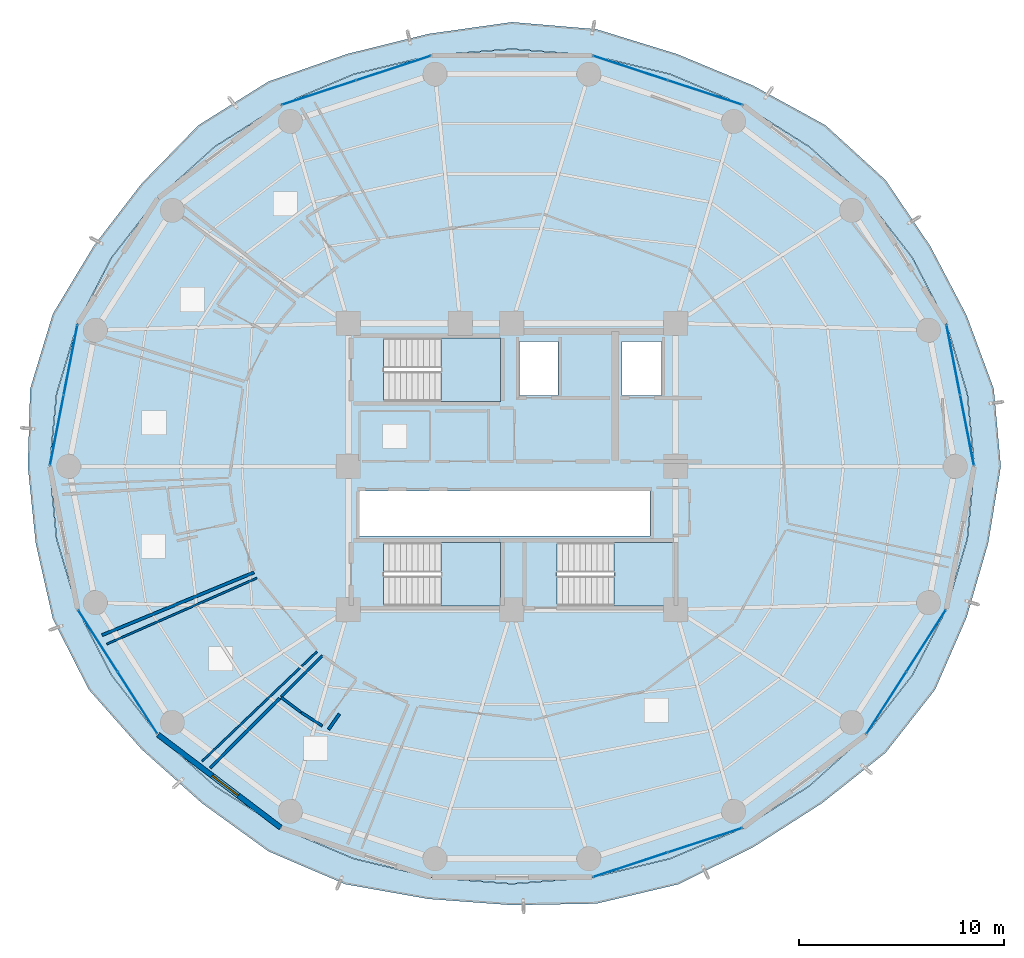
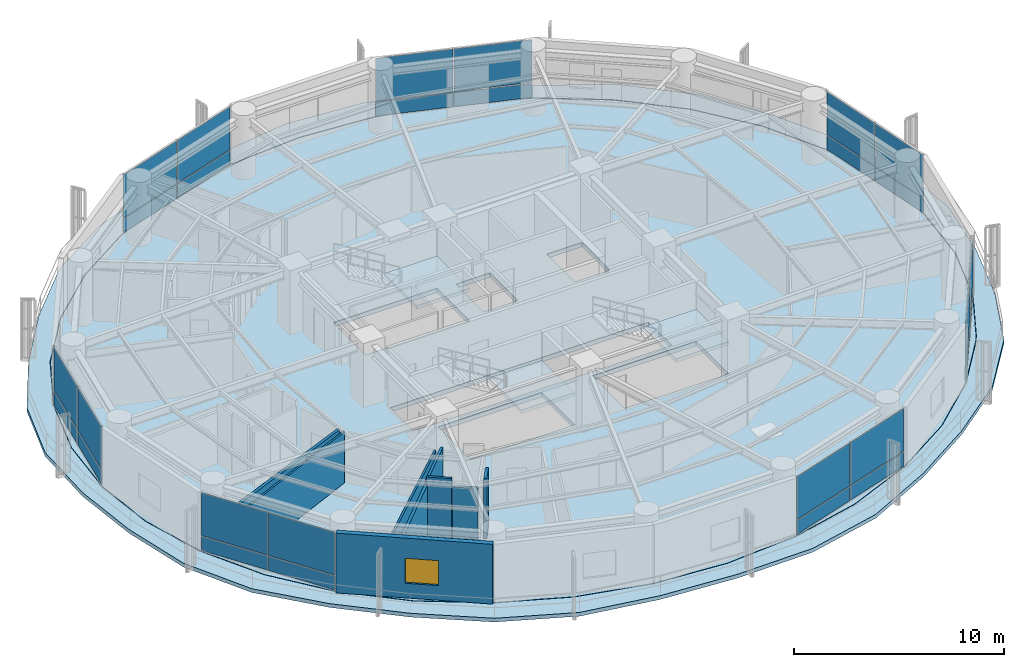
# One storey, part 20 of 27: 28 plates, 9 walls, 5 slabs, 1 window, 1 opening, 10 elements without a shape of their own.
"""IFC4 building model written with IfcOpenShell, lengths in metres."""

from ifc_helpers import new_model, si_unit, direction, frame, frame_2d, origin, origin_2d, place, context, subcontext, project, spatial, polyline, rectangle, outline, extrude, source, transform, mapped, material, layer, layer_set, type_object, element, fill, aggregate, save


model = new_model("IFC4")

# Units and contexts
model_context = context("Model", 3, precision=1e-05, world=origin(), true_north=direction((0.0, 1.0)))
body_context = subcontext(model_context, "Body", "Model", "MODEL_VIEW")
ifc_project = project(units=[si_unit("LENGTHUNIT", "METRE"), si_unit("AREAUNIT", "SQUARE_METRE"), si_unit("VOLUMEUNIT", "CUBIC_METRE"), si_unit("PLANEANGLEUNIT", "RADIAN"), si_unit("MASSUNIT", "GRAM", prefix="KILO")], contexts=[model_context])

# Site, building, storey
site_placement = place(None, origin())
site = spatial("IfcSite", under=ifc_project, at=site_placement, CompositionType="ELEMENT")
building_placement = place(site_placement, origin())
building = spatial("IfcBuilding", under=site, at=building_placement, Name="Kelanora Arch Commons", CompositionType="ELEMENT")
storey_placement = place(building_placement, frame((0.0, 0.0, 150.60009765625)))
storey = spatial("IfcBuildingStorey", under=building, at=storey_placement, Name="L38", CompositionType="ELEMENT", Elevation=150.60009765625)

# Stair, slab
ifc_material_1 = material(Name="Concrete C40/50", Category="concrete")
stair_type = type_object("IfcStairType", Name="STR-DL-375", PredefinedType="HALF_TURN_STAIR", material=ifc_material_1)
stair_1_placement = place(storey_placement, origin())
stair_1 = element("IfcStair", 1, at=stair_1_placement, inside=storey, type_object=stair_type, Name="L38 ST-T1", PredefinedType="HALF_TURN_STAIR")
ifc_layer_1 = layer(ifc_material_1, 0.199951171875)
ifc_layer_set_1 = layer_set([ifc_layer_1], Name="Concrete C40/50")
slab_type_1 = type_object("IfcSlabType", Name="SLB-STAIR-LND", PredefinedType="LANDING", material=ifc_layer_set_1)
slab_1_placement = place(storey_placement, frame((0.0, 0.0, 1.6748046875)))
slab_1 = element("IfcSlab", 2, at=slab_1_placement, type_object=slab_type_1, Name="ST-T1 landing 1", PredefinedType="LANDING", context=body_context, shape_type="SweptSolid", body=[
    extrude(outline(polyline([(70.52001953125, 61.179931640625), (73.43994140625, 61.179931640625), (73.43994140625, 64.2900390625), (70.52001953125, 64.2900390625), (70.52001953125, 61.179931640625)])), origin(), (0.0, 0.0, 1.0), 0.2001953125),
])
aggregate(stair_1, [slab_1])

stair_2_placement = place(storey_placement, origin())
stair_2 = element("IfcStair", 3, at=stair_2_placement, inside=storey, type_object=stair_type, Name="L38 ST-T2", PredefinedType="HALF_TURN_STAIR")
slab_2_placement = place(storey_placement, frame((0.0, 0.0, 1.6748046875)))
slab_2 = element("IfcSlab", 4, at=slab_2_placement, type_object=slab_type_1, Name="ST-T2 landing 1", PredefinedType="LANDING", context=body_context, shape_type="SweptSolid", body=[
    extrude(outline(polyline([(79.0, 51.179931640625), (81.919921875, 51.179931640625), (81.919921875, 54.2900390625), (79.0, 54.2900390625), (79.0, 51.179931640625)])), origin(), (0.0, 0.0, 1.0), 0.2001953125),
])
aggregate(stair_2, [slab_2])

stair_3_placement = place(storey_placement, origin())
stair_3 = element("IfcStair", 5, at=stair_3_placement, inside=storey, type_object=stair_type, Name="L38 ST-T3", PredefinedType="HALF_TURN_STAIR")
slab_3_placement = place(storey_placement, frame((0.0, 0.0, 1.6748046875)))
slab_3 = element("IfcSlab", 6, at=slab_3_placement, type_object=slab_type_1, Name="ST-T3 landing 1", PredefinedType="LANDING", context=body_context, shape_type="SweptSolid", body=[
    extrude(outline(polyline([(70.52001953125, 51.179931640625), (73.43994140625, 51.179931640625), (73.43994140625, 54.2900390625), (70.52001953125, 54.2900390625), (70.52001953125, 51.179931640625)])), origin(), (0.0, 0.0, 1.0), 0.2001953125),
])
aggregate(stair_3, [slab_3])

# Slabs
ifc_layer_2 = layer(ifc_material_1, 0.260009765625)
ifc_layer_set_2 = layer_set([ifc_layer_2], Name="Concrete C40/50")
slab_type_2 = type_object("IfcSlabType", Name="SLB-TWR-TYP", PredefinedType="FLOOR", material=ifc_layer_set_2)
slab_4_placement = place(storey_placement, frame((0.0, 0.0, -0.260009765625)))
element("IfcSlab", 7, at=slab_4_placement, inside=storey, type_object=slab_type_2, Name="Tower Floor Slab L38", PredefinedType="FLOOR", context=body_context, shape_type="SweptSolid", body=[
    extrude(outline(polyline([(96.60009765625, 58.0), (96.256591796875, 61.54248046875), (95.237060546875, 64.977294921875), (93.572265625, 68.199951171875), (91.3125, 71.11279296875), (88.527099609375, 73.627197265625), (85.300048828125, 75.6669921875), (81.729736328125, 77.169677734375), (77.92431640625, 78.090087890625), (74.0, 78.39990234375), (70.07568359375, 78.090087890625), (66.270263671875, 77.169677734375), (62.699951171875, 75.6669921875), (59.472900390625, 73.627197265625), (56.6875, 71.11279296875), (54.427734375, 68.199951171875), (52.762939453125, 64.977294921875), (51.743408203125, 61.54248046875), (51.39990234375, 58.0), (51.743408203125, 54.45751953125), (52.762939453125, 51.022705078125), (54.427734375, 47.800048828125), (56.6875, 44.88720703125), (59.472900390625, 42.372802734375), (62.699951171875, 40.3330078125), (66.270263671875, 38.830322265625), (70.07568359375, 37.909912109375), (74.0, 37.60009765625), (77.92431640625, 37.909912109375), (81.729736328125, 38.830322265625), (85.300048828125, 40.3330078125), (88.527099609375, 42.372802734375), (91.3125, 44.88720703125), (93.572265625, 47.800048828125), (95.237060546875, 51.022705078125), (96.256591796875, 54.45751953125), (96.60009765625, 58.0)]), holes=[polyline([(73.431884765625, 51.18798828125), (67.72802734375, 51.18798828125), (67.72802734375, 54.281982421875), (73.431884765625, 54.281982421875), (73.431884765625, 51.18798828125)]), polyline([(76.2080078125, 51.18798828125), (76.2080078125, 54.281982421875), (81.912109375, 54.281982421875), (81.912109375, 51.18798828125), (76.2080078125, 51.18798828125)]), polyline([(66.550048828125, 54.60009765625), (66.550048828125, 56.800048828125), (80.75, 56.800048828125), (80.75, 54.60009765625), (66.550048828125, 54.60009765625)]), polyline([(73.431884765625, 61.18798828125), (67.72802734375, 61.18798828125), (67.72802734375, 64.281982421875), (73.431884765625, 64.281982421875), (73.431884765625, 61.18798828125)]), polyline([(74.3798828125, 61.47998046875), (74.3798828125, 64.1201171875), (76.260009765625, 64.1201171875), (76.260009765625, 61.47998046875), (74.3798828125, 61.47998046875)]), polyline([(79.3798828125, 61.47998046875), (79.3798828125, 64.1201171875), (81.320068359375, 64.1201171875), (81.320068359375, 61.47998046875), (79.3798828125, 61.47998046875)])]), origin(), (0.0, 0.0, 1.0), 0.260009765625),
])
ifc_layer_3 = layer(ifc_material_1, 0.219970703125)
ifc_layer_set_3 = layer_set([ifc_layer_3], Name="Concrete C40/50")
slab_type_3 = type_object("IfcSlabType", Name="SLB-WAVE-BAL", PredefinedType="FLOOR", material=ifc_layer_set_3)
slab_5_placement = place(storey_placement, frame((0.0, 0.0, -0.22021484375)))
element("IfcSlab", 8, at=slab_5_placement, inside=storey, type_object=slab_type_3, Name="Sinusoidal Wave Balcony Slab L38", PredefinedType="FLOOR", context=body_context, shape_type="SweptSolid", body=[
    extrude(outline(polyline([(97.902587890625, 58.0), (97.556884765625, 61.79638671875), (96.230712890625, 65.377685546875), (94.456787109375, 68.765869140625), (92.2666015625, 71.999755859375), (89.326904296875, 74.683349609375), (85.795166015625, 76.616943359375), (82.057373046875, 78.167236328125), (78.129150390625, 79.376708984375), (74.0, 79.724853515625), (69.9072265625, 79.14794921875), (65.942626953125, 78.167236328125), (62.097900390625, 76.822021484375), (58.673095703125, 74.683349609375), (55.90283203125, 71.84228515625), (53.543212890625, 68.765869140625), (51.5546875, 65.46435546875), (50.443115234375, 61.79638671875), (50.32861328125, 58.0), (50.712890625, 54.25634765625), (51.5546875, 50.53564453125), (53.311767578125, 47.086181640625), (55.90283203125, 44.15771484375), (58.839111328125, 41.53564453125), (62.097900390625, 39.177978515625), (65.856689453125, 37.571533203125), (69.9072265625, 36.85205078125), (74.0, 36.550048828125), (78.129150390625, 36.623291015625), (82.143310546875, 37.571533203125), (85.795166015625, 39.383056640625), (89.160888671875, 41.53564453125), (92.2666015625, 44.000244140625), (94.688232421875, 47.086181640625), (96.230712890625, 50.622314453125), (97.287109375, 54.25634765625), (97.902587890625, 58.0)]), holes=[polyline([(96.2763671875, 54.4541015625), (95.255859375, 51.015869140625), (93.589599609375, 47.7900390625), (91.327880859375, 44.874267578125), (88.539794921875, 42.357421875), (85.31005859375, 40.31591796875), (81.736572265625, 38.8115234375), (77.927978515625, 37.89013671875), (74.0, 37.580078125), (70.072021484375, 37.89013671875), (66.263427734375, 38.8115234375), (62.68994140625, 40.31591796875), (59.460205078125, 42.357421875), (56.672119140625, 44.874267578125), (54.410400390625, 47.7900390625), (52.744140625, 51.015869140625), (51.7236328125, 54.4541015625), (51.3798828125, 58.0), (51.7236328125, 61.5458984375), (52.744140625, 64.984130859375), (54.410400390625, 68.2099609375), (56.672119140625, 71.125732421875), (59.460205078125, 73.642578125), (62.68994140625, 75.68408203125), (66.263427734375, 77.1884765625), (70.072021484375, 78.10986328125), (74.0, 78.419921875), (77.927978515625, 78.10986328125), (81.736572265625, 77.1884765625), (85.31005859375, 75.68408203125), (88.539794921875, 73.642578125), (91.327880859375, 71.125732421875), (93.589599609375, 68.2099609375), (95.255859375, 64.984130859375), (96.2763671875, 61.5458984375), (96.6201171875, 58.0), (96.2763671875, 54.4541015625)])]), origin(), (0.0, 0.0, 1.0), 0.22021484375),
])

# Curtain wall, plates
ifc_material_2 = material(Name="Terracotta ceramic-fritted low-E glass and aluminium", Category="masonry")
ifc_layer_4 = layer(ifc_material_2, 0.175048828125)
ifc_layer_set_4 = layer_set([ifc_layer_4], Name="Terracotta ceramic-fritted low-E glass and aluminium")
curtain_wall_type = type_object("IfcCurtainWallType", Name="CW-SYS-02", PredefinedType="NOTDEFINED", material=ifc_layer_set_4)
curtain_wall_1_placement = place(storey_placement, origin())
curtain_wall_1 = element("IfcCurtainWall", 9, at=curtain_wall_1_placement, inside=storey, type_object=curtain_wall_type, Name="Unitised Curtain Wall L38-B00", PredefinedType="NOTDEFINED")
ifc_material_3 = material(Name="Terracotta ceramic-fritted double glazing", Category="masonry")
ifc_layer_5 = layer(ifc_material_3, 0.028076171875)
ifc_layer_set_5 = layer_set([ifc_layer_5], Name="Terracotta ceramic-fritted double glazing")
plate_type = type_object("IfcPlateType", Name="CWP-FRIT", PredefinedType="CURTAIN_PANEL", material=ifc_layer_set_5)
shared_shape_1 = source(origin(), body_context, "Body", "SweptSolid", [
    extrude(rectangle(XDim=3.449462890625, YDim=0.028076171875, at=origin_2d()), origin(), (0.0, 0.0, 1.0), 0.81005859375),
])
plate_1_placement = place(storey_placement, frame((96.2548828125, 59.766357421875, 0.059814453125), z_axis=(0.0, 0.0, 1.0), x_axis=(-0.191705182375, 0.981452557718, 0.0)))
plate_1 = element("IfcPlate", 10, at=plate_1_placement, type_object=plate_type, Name="CW-02 panel 1.1", PredefinedType="CURTAIN_PANEL", context=body_context, shape_type="MappedRepresentation", body=[
    mapped(shared_shape_1, transform((0.0, 0.0, 0.0), scale=1.0)),
])
plate_2_placement = place(storey_placement, frame((95.58203125, 63.2109375, 0.059814453125), z_axis=(0.0, 0.0, 1.0), x_axis=(-0.191705182375, 0.981452557718, 0.0)))
plate_2 = element("IfcPlate", 11, at=plate_2_placement, type_object=plate_type, Name="CW-02 panel 2.1", PredefinedType="CURTAIN_PANEL", context=body_context, shape_type="MappedRepresentation", body=[
    mapped(shared_shape_1, transform((0.0, 0.0, 0.0), scale=1.0)),
])

curtain_wall_2_placement = place(storey_placement, origin())
curtain_wall_2 = element("IfcCurtainWall", 12, at=curtain_wall_2_placement, inside=storey, type_object=curtain_wall_type, Name="Unitised Curtain Wall L38-B08", PredefinedType="NOTDEFINED")
plate_3_placement = place(storey_placement, frame((52.41796875, 63.2109375, 0.059814453125), z_axis=(0.0, 0.0, 1.0), x_axis=(-0.191705182375, -0.981452557718, 0.0)))
plate_3 = element("IfcPlate", 13, at=plate_3_placement, type_object=plate_type, Name="CW-02 panel 1.1", PredefinedType="CURTAIN_PANEL", context=body_context, shape_type="MappedRepresentation", body=[
    mapped(shared_shape_1, transform((0.0, 0.0, 0.0), scale=1.0)),
])
plate_4_placement = place(storey_placement, frame((51.7451171875, 59.766357421875, 0.059814453125), z_axis=(0.0, 0.0, 1.0), x_axis=(-0.191705182375, -0.981452557718, 0.0)))
plate_4 = element("IfcPlate", 14, at=plate_4_placement, type_object=plate_type, Name="CW-02 panel 2.1", PredefinedType="CURTAIN_PANEL", context=body_context, shape_type="MappedRepresentation", body=[
    mapped(shared_shape_1, transform((0.0, 0.0, 0.0), scale=1.0)),
])

# Plate
shared_shape_2 = source(origin(), body_context, "Body", "SweptSolid", [
    extrude(rectangle(XDim=3.449462890625, YDim=0.028076171875, at=origin_2d()), origin(), (0.0, 0.0, 1.0), 2.485107421875),
])
plate_5_placement = place(storey_placement, frame((96.2548828125, 59.766357421875, 0.9296875), z_axis=(0.0, 0.0, 1.0), x_axis=(-0.191705182375, 0.981452557718, 0.0)))
plate_5 = element("IfcPlate", 15, at=plate_5_placement, type_object=plate_type, Name="CW-02 panel 1.2", PredefinedType="CURTAIN_PANEL", context=body_context, shape_type="MappedRepresentation", body=[
    mapped(shared_shape_2, transform((0.0, 0.0, 0.0), scale=1.0)),
])

plate_6_placement = place(storey_placement, frame((95.58203125, 63.2109375, 0.9296875), z_axis=(0.0, 0.0, 1.0), x_axis=(-0.191705182375, 0.981452557718, 0.0)))
plate_6 = element("IfcPlate", 16, at=plate_6_placement, type_object=plate_type, Name="CW-02 panel 2.2", PredefinedType="CURTAIN_PANEL", context=body_context, shape_type="MappedRepresentation", body=[
    mapped(shared_shape_2, transform((0.0, 0.0, 0.0), scale=1.0)),
])

aggregate(curtain_wall_1, [plate_1, plate_5, plate_2, plate_6])

plate_7_placement = place(storey_placement, frame((52.41796875, 63.2109375, 0.9296875), z_axis=(0.0, 0.0, 1.0), x_axis=(-0.191705182375, -0.981452557718, 0.0)))
plate_7 = element("IfcPlate", 17, at=plate_7_placement, type_object=plate_type, Name="CW-02 panel 1.2", PredefinedType="CURTAIN_PANEL", context=body_context, shape_type="MappedRepresentation", body=[
    mapped(shared_shape_2, transform((0.0, 0.0, 0.0), scale=1.0)),
])

plate_8_placement = place(storey_placement, frame((51.7451171875, 59.766357421875, 0.9296875), z_axis=(0.0, 0.0, 1.0), x_axis=(-0.191705182375, -0.981452557718, 0.0)))
plate_8 = element("IfcPlate", 18, at=plate_8_placement, type_object=plate_type, Name="CW-02 panel 2.2", PredefinedType="CURTAIN_PANEL", context=body_context, shape_type="MappedRepresentation", body=[
    mapped(shared_shape_2, transform((0.0, 0.0, 0.0), scale=1.0)),
])

aggregate(curtain_wall_2, [plate_3, plate_7, plate_4, plate_8])

# Curtain wall, plates
curtain_wall_3_placement = place(storey_placement, origin())
curtain_wall_3 = element("IfcCurtainWall", 19, at=curtain_wall_3_placement, inside=storey, type_object=curtain_wall_type, Name="Unitised Curtain Wall L38-B03", PredefinedType="NOTDEFINED")
shared_shape_3 = source(origin(), body_context, "Body", "SweptSolid", [
    extrude(rectangle(XDim=3.776611328125, YDim=0.028076171875, at=origin_2d()), origin(), (0.0, 0.0, 1.0), 0.81005859375),
])
plate_9_placement = place(storey_placement, frame((83.434814453125, 76.27978515625, 0.059814453125), z_axis=(0.0, 0.0, 1.0), x_axis=(-0.95003996605, 0.312128279571, 0.0)))
plate_9 = element("IfcPlate", 20, at=plate_9_placement, type_object=plate_type, Name="CW-02 panel 1.1", PredefinedType="CURTAIN_PANEL", context=body_context, shape_type="MappedRepresentation", body=[
    mapped(shared_shape_3, transform((0.0, 0.0, 0.0), scale=1.0)),
])
plate_10_placement = place(storey_placement, frame((79.789794921875, 77.477294921875, 0.059814453125), z_axis=(0.0, 0.0, 1.0), x_axis=(-0.95003996605, 0.312128279571, 0.0)))
plate_10 = element("IfcPlate", 21, at=plate_10_placement, type_object=plate_type, Name="CW-02 panel 2.1", PredefinedType="CURTAIN_PANEL", context=body_context, shape_type="MappedRepresentation", body=[
    mapped(shared_shape_3, transform((0.0, 0.0, 0.0), scale=1.0)),
])

curtain_wall_4_placement = place(storey_placement, origin())
curtain_wall_4 = element("IfcCurtainWall", 22, at=curtain_wall_4_placement, inside=storey, type_object=curtain_wall_type, Name="Unitised Curtain Wall L38-B05", PredefinedType="NOTDEFINED")
plate_11_placement = place(storey_placement, frame((68.210205078125, 77.477294921875, 0.059814453125), z_axis=(0.0, 0.0, 1.0), x_axis=(-0.95003996605, -0.312128279571, 0.0)))
plate_11 = element("IfcPlate", 23, at=plate_11_placement, type_object=plate_type, Name="CW-02 panel 1.1", PredefinedType="CURTAIN_PANEL", context=body_context, shape_type="MappedRepresentation", body=[
    mapped(shared_shape_3, transform((0.0, 0.0, 0.0), scale=1.0)),
])
plate_12_placement = place(storey_placement, frame((64.565185546875, 76.27978515625, 0.059814453125), z_axis=(0.0, 0.0, 1.0), x_axis=(-0.95003996605, -0.312128279571, 0.0)))
plate_12 = element("IfcPlate", 24, at=plate_12_placement, type_object=plate_type, Name="CW-02 panel 2.1", PredefinedType="CURTAIN_PANEL", context=body_context, shape_type="MappedRepresentation", body=[
    mapped(shared_shape_3, transform((0.0, 0.0, 0.0), scale=1.0)),
])

curtain_wall_5_placement = place(storey_placement, origin())
curtain_wall_5 = element("IfcCurtainWall", 25, at=curtain_wall_5_placement, inside=storey, type_object=curtain_wall_type, Name="Unitised Curtain Wall L38-B14", PredefinedType="NOTDEFINED")
plate_13_placement = place(storey_placement, frame((79.789794921875, 38.522705078125, 0.059814453125), z_axis=(0.0, 0.0, 1.0), x_axis=(0.95003996605, 0.312128279571, 0.0)))
plate_13 = element("IfcPlate", 26, at=plate_13_placement, type_object=plate_type, Name="CW-02 panel 1.1", PredefinedType="CURTAIN_PANEL", context=body_context, shape_type="MappedRepresentation", body=[
    mapped(shared_shape_3, transform((0.0, 0.0, 0.0), scale=1.0)),
])
plate_14_placement = place(storey_placement, frame((83.434814453125, 39.72021484375, 0.059814453125), z_axis=(0.0, 0.0, 1.0), x_axis=(0.95003996605, 0.312128279571, 0.0)))
plate_14 = element("IfcPlate", 27, at=plate_14_placement, type_object=plate_type, Name="CW-02 panel 2.1", PredefinedType="CURTAIN_PANEL", context=body_context, shape_type="MappedRepresentation", body=[
    mapped(shared_shape_3, transform((0.0, 0.0, 0.0), scale=1.0)),
])

# Plate
shared_shape_4 = source(origin(), body_context, "Body", "SweptSolid", [
    extrude(rectangle(XDim=3.776611328125, YDim=0.028076171875, at=origin_2d()), origin(), (0.0, 0.0, 1.0), 2.485107421875),
])
plate_15_placement = place(storey_placement, frame((83.434814453125, 76.27978515625, 0.9296875), z_axis=(0.0, 0.0, 1.0), x_axis=(-0.95003996605, 0.312128279571, 0.0)))
plate_15 = element("IfcPlate", 28, at=plate_15_placement, type_object=plate_type, Name="CW-02 panel 1.2", PredefinedType="CURTAIN_PANEL", context=body_context, shape_type="MappedRepresentation", body=[
    mapped(shared_shape_4, transform((0.0, 0.0, 0.0), scale=1.0)),
])

plate_16_placement = place(storey_placement, frame((79.789794921875, 77.477294921875, 0.9296875), z_axis=(0.0, 0.0, 1.0), x_axis=(-0.95003996605, 0.312128279571, 0.0)))
plate_16 = element("IfcPlate", 29, at=plate_16_placement, type_object=plate_type, Name="CW-02 panel 2.2", PredefinedType="CURTAIN_PANEL", context=body_context, shape_type="MappedRepresentation", body=[
    mapped(shared_shape_4, transform((0.0, 0.0, 0.0), scale=1.0)),
])

aggregate(curtain_wall_3, [plate_9, plate_15, plate_10, plate_16])

plate_17_placement = place(storey_placement, frame((68.210205078125, 77.477294921875, 0.9296875), z_axis=(0.0, 0.0, 1.0), x_axis=(-0.95003996605, -0.312128279571, 0.0)))
plate_17 = element("IfcPlate", 30, at=plate_17_placement, type_object=plate_type, Name="CW-02 panel 1.2", PredefinedType="CURTAIN_PANEL", context=body_context, shape_type="MappedRepresentation", body=[
    mapped(shared_shape_4, transform((0.0, 0.0, 0.0), scale=1.0)),
])

plate_18_placement = place(storey_placement, frame((64.565185546875, 76.27978515625, 0.9296875), z_axis=(0.0, 0.0, 1.0), x_axis=(-0.95003996605, -0.312128279571, 0.0)))
plate_18 = element("IfcPlate", 31, at=plate_18_placement, type_object=plate_type, Name="CW-02 panel 2.2", PredefinedType="CURTAIN_PANEL", context=body_context, shape_type="MappedRepresentation", body=[
    mapped(shared_shape_4, transform((0.0, 0.0, 0.0), scale=1.0)),
])

aggregate(curtain_wall_4, [plate_11, plate_17, plate_12, plate_18])

plate_19_placement = place(storey_placement, frame((79.789794921875, 38.522705078125, 0.9296875), z_axis=(0.0, 0.0, 1.0), x_axis=(0.95003996605, 0.312128279571, 0.0)))
plate_19 = element("IfcPlate", 32, at=plate_19_placement, type_object=plate_type, Name="CW-02 panel 1.2", PredefinedType="CURTAIN_PANEL", context=body_context, shape_type="MappedRepresentation", body=[
    mapped(shared_shape_4, transform((0.0, 0.0, 0.0), scale=1.0)),
])

plate_20_placement = place(storey_placement, frame((83.434814453125, 39.72021484375, 0.9296875), z_axis=(0.0, 0.0, 1.0), x_axis=(0.95003996605, 0.312128279571, 0.0)))
plate_20 = element("IfcPlate", 33, at=plate_20_placement, type_object=plate_type, Name="CW-02 panel 2.2", PredefinedType="CURTAIN_PANEL", context=body_context, shape_type="MappedRepresentation", body=[
    mapped(shared_shape_4, transform((0.0, 0.0, 0.0), scale=1.0)),
])

aggregate(curtain_wall_5, [plate_13, plate_19, plate_14, plate_20])

# Curtain wall, plates
curtain_wall_6_placement = place(storey_placement, origin())
curtain_wall_6 = element("IfcCurtainWall", 34, at=curtain_wall_6_placement, inside=storey, type_object=curtain_wall_type, Name="Unitised Curtain Wall L38-B10", PredefinedType="NOTDEFINED")
shared_shape_5 = source(origin(), body_context, "Body", "SweptSolid", [
    extrude(rectangle(XDim=3.53662109375, YDim=0.028076171875, at=origin_2d()), origin(), (0.0, 0.0, 1.0), 0.81005859375),
])
plate_21_placement = place(storey_placement, frame((53.756103515625, 49.469970703125, 0.059814453125), z_axis=(0.0, 0.0, 1.0), x_axis=(0.538816988983, -0.842422846546, 0.0)))
plate_21 = element("IfcPlate", 35, at=plate_21_placement, type_object=plate_type, Name="CW-02 panel 1.1", PredefinedType="CURTAIN_PANEL", context=body_context, shape_type="MappedRepresentation", body=[
    mapped(shared_shape_5, transform((0.0, 0.0, 0.0), scale=1.0)),
])
plate_22_placement = place(storey_placement, frame((55.694091796875, 46.43994140625, 0.059814453125), z_axis=(0.0, 0.0, 1.0), x_axis=(0.538816988983, -0.842422846546, 0.0)))
plate_22 = element("IfcPlate", 36, at=plate_22_placement, type_object=plate_type, Name="CW-02 panel 2.1", PredefinedType="CURTAIN_PANEL", context=body_context, shape_type="MappedRepresentation", body=[
    mapped(shared_shape_5, transform((0.0, 0.0, 0.0), scale=1.0)),
])

curtain_wall_7_placement = place(storey_placement, origin())
curtain_wall_7 = element("IfcCurtainWall", 37, at=curtain_wall_7_placement, inside=storey, type_object=curtain_wall_type, Name="Unitised Curtain Wall L38-B16", PredefinedType="NOTDEFINED")
plate_23_placement = place(storey_placement, frame((92.305908203125, 46.43994140625, 0.059814453125), z_axis=(0.0, 0.0, 1.0), x_axis=(0.538816988983, 0.842422846546, 0.0)))
plate_23 = element("IfcPlate", 38, at=plate_23_placement, type_object=plate_type, Name="CW-02 panel 1.1", PredefinedType="CURTAIN_PANEL", context=body_context, shape_type="MappedRepresentation", body=[
    mapped(shared_shape_5, transform((0.0, 0.0, 0.0), scale=1.0)),
])
plate_24_placement = place(storey_placement, frame((94.243896484375, 49.469970703125, 0.059814453125), z_axis=(0.0, 0.0, 1.0), x_axis=(0.538816988983, 0.842422846546, 0.0)))
plate_24 = element("IfcPlate", 39, at=plate_24_placement, type_object=plate_type, Name="CW-02 panel 2.1", PredefinedType="CURTAIN_PANEL", context=body_context, shape_type="MappedRepresentation", body=[
    mapped(shared_shape_5, transform((0.0, 0.0, 0.0), scale=1.0)),
])

# Plate
shared_shape_6 = source(origin(), body_context, "Body", "SweptSolid", [
    extrude(rectangle(XDim=3.53662109375, YDim=0.028076171875, at=origin_2d()), origin(), (0.0, 0.0, 1.0), 2.485107421875),
])
plate_25_placement = place(storey_placement, frame((53.756103515625, 49.469970703125, 0.9296875), z_axis=(0.0, 0.0, 1.0), x_axis=(0.538816988983, -0.842422846546, 0.0)))
plate_25 = element("IfcPlate", 40, at=plate_25_placement, type_object=plate_type, Name="CW-02 panel 1.2", PredefinedType="CURTAIN_PANEL", context=body_context, shape_type="MappedRepresentation", body=[
    mapped(shared_shape_6, transform((0.0, 0.0, 0.0), scale=1.0)),
])

plate_26_placement = place(storey_placement, frame((55.694091796875, 46.43994140625, 0.9296875), z_axis=(0.0, 0.0, 1.0), x_axis=(0.538816988983, -0.842422846546, 0.0)))
plate_26 = element("IfcPlate", 41, at=plate_26_placement, type_object=plate_type, Name="CW-02 panel 2.2", PredefinedType="CURTAIN_PANEL", context=body_context, shape_type="MappedRepresentation", body=[
    mapped(shared_shape_6, transform((0.0, 0.0, 0.0), scale=1.0)),
])

aggregate(curtain_wall_6, [plate_21, plate_25, plate_22, plate_26])

plate_27_placement = place(storey_placement, frame((92.305908203125, 46.43994140625, 0.9296875), z_axis=(0.0, 0.0, 1.0), x_axis=(0.538816988983, 0.842422846546, 0.0)))
plate_27 = element("IfcPlate", 42, at=plate_27_placement, type_object=plate_type, Name="CW-02 panel 1.2", PredefinedType="CURTAIN_PANEL", context=body_context, shape_type="MappedRepresentation", body=[
    mapped(shared_shape_6, transform((0.0, 0.0, 0.0), scale=1.0)),
])

plate_28_placement = place(storey_placement, frame((94.243896484375, 49.469970703125, 0.9296875), z_axis=(0.0, 0.0, 1.0), x_axis=(0.538816988983, 0.842422846546, 0.0)))
plate_28 = element("IfcPlate", 43, at=plate_28_placement, type_object=plate_type, Name="CW-02 panel 2.2", PredefinedType="CURTAIN_PANEL", context=body_context, shape_type="MappedRepresentation", body=[
    mapped(shared_shape_6, transform((0.0, 0.0, 0.0), scale=1.0)),
])

aggregate(curtain_wall_7, [plate_23, plate_27, plate_24, plate_28])

# Walls
ifc_material_4 = material(Name="Autoclaved aerated concrete blockwork with fire plaster", Category="masonry")
ifc_layer_6 = layer(ifc_material_4, 0.14990234375)
ifc_layer_set_6 = layer_set([ifc_layer_6], Name="Autoclaved aerated concrete blockwork with fire plaster")
wall_type_1 = type_object("IfcWallType", Name="W-COMP-150", PredefinedType="PARTITIONING", material=ifc_layer_set_6)
wall_1_placement = place(storey_placement, frame((61.385009765625, 52.816650390625, 0.0), z_axis=(0.0, 0.0, 1.0), x_axis=(-0.924352507704, -0.381539567412, 0.0)))
element("IfcWall", 44, at=wall_1_placement, inside=storey, type_object=wall_type_1, Name="Co-Living Studio L38-04 Enclosure Partition 2", PredefinedType="PARTITIONING", context=body_context, shape_type="SweptSolid", body=[
    extrude(rectangle(XDim=8.036865234375, YDim=0.14990234375, at=frame_2d((4.0185546875, 0.0))), origin(), (0.0, 0.0, 1.0), 2.974853515625),
])
wall_2_placement = place(storey_placement, frame((59.249267578125, 43.25830078125, 0.0), z_axis=(0.0, 0.0, 1.0), x_axis=(0.706293548202, 0.707919079958, 0.0)))
element("IfcWall", 45, at=wall_2_placement, inside=storey, type_object=wall_type_1, Name="Co-Living Studio L38-06 Enclosure Partition 5", PredefinedType="PARTITIONING", context=body_context, shape_type="SweptSolid", body=[
    extrude(rectangle(XDim=4.80615234375, YDim=0.14990234375, at=frame_2d((2.403076171875, 0.0))), origin(), (0.0, 0.0, 1.0), 3.02490234375),
])
wall_3_placement = place(storey_placement, frame((65.03076171875, 45.135986328125, 0.0), z_axis=(0.0, 0.0, 1.0), x_axis=(0.570563407037, 0.821253553143, 0.0)))
element("IfcWall", 46, at=wall_3_placement, inside=storey, type_object=wall_type_1, Name="Co-Living Studio L38-06 Enclosure Partition 7", PredefinedType="PARTITIONING", context=body_context, shape_type="SweptSolid", body=[
    extrude(rectangle(XDim=0.92822265625, YDim=0.14990234375, at=frame_2d((0.464111328125, 0.0))), origin(), (0.0, 0.0, 1.0), 3.47998046875),
])

# Wall, opening, window
ifc_material_5 = material(Name="Precast concrete C40/50 with terracotta rainscreen", Category="masonry")
ifc_layer_7 = layer(ifc_material_5, 0.260009765625)
ifc_layer_set_7 = layer_set([ifc_layer_7], Name="Precast concrete C40/50 with terracotta rainscreen")
wall_type_2 = type_object("IfcWallType", Name="W-EXT-TC", PredefinedType="SOLIDWALL", material=ifc_layer_set_7)
wall_4_placement = place(storey_placement, frame((56.699462890625, 44.8779296875, 0.0), z_axis=(0.0, 0.0, 1.0), x_axis=(0.797163719609, -0.603763202042, 0.0)))
wall_4 = element("IfcWall", 47, at=wall_4_placement, inside=storey, type_object=wall_type_2, Name="Terracotta Exterior Wall L38-B11", PredefinedType="SOLIDWALL", context=body_context, shape_type="SweptSolid", body=[
    extrude(rectangle(XDim=7.51220703125, YDim=0.260009765625, at=frame_2d((3.756103515625, 0.0))), origin(), (0.0, 0.0, 1.0), 3.474853515625),
])
opening_placement = place(wall_4_placement, frame((3.31591796875, 0.0, 0.85009765625)))
opening = element("IfcOpeningElement", 48, at=opening_placement, cuts=wall_4, Name="Opening WN-01", PredefinedType="OPENING", context=body_context, shape_type="SweptSolid", body=[
    extrude(rectangle(XDim=1.60009765625, YDim=1.449951171875, at=frame_2d((0.800048828125, 0.72509765625))), frame((0.0, 0.14013671875, 0.0), z_axis=(0.0, -1.0, 0.0), x_axis=(1.0, 0.0, 0.0)), (0.0, 0.0, 1.0), 0.280029296875),
])
ifc_material_6 = material(Name="Terracotta-anodised aluminium frame with operable low-E glazing", Category="masonry")
window_type = type_object("IfcWindowType", Name="WIN-CL-18", PartitioningType="DOUBLE_PANEL_VERTICAL", PredefinedType="WINDOW", material=ifc_material_6)
window_placement = place(opening_placement, origin())
window = element("IfcWindow", 49, at=window_placement, inside=storey, type_object=window_type, Name="Co-Living Operable Window L38-B11", OverallHeight=1.449951171875, OverallWidth=1.60009765625, PartitioningType="SINGLE_PANEL", PredefinedType="WINDOW", context=body_context, shape_type="SweptSolid", body=[
    extrude(rectangle(XDim=1.60009765625, YDim=1.449951171875, at=frame_2d((0.800048828125, 0.72509765625))), frame((0.0, 0.030029296875, 0.0), z_axis=(0.0, -1.0, 0.0), x_axis=(1.0, 0.0, 0.0)), (0.0, 0.0, 1.0), 0.06005859375),
])
fill(opening, window)

# Walls
ifc_material_7 = material(Name="Lightweight fire-rated acoustic stud partition")
ifc_layer_8 = layer(ifc_material_7, 0.10009765625)
ifc_layer_set_8 = layer_set([ifc_layer_8], Name="Lightweight fire-rated acoustic stud partition")
wall_type_3 = type_object("IfcWallType", Name="W-PART-100", PredefinedType="PARTITIONING", material=ifc_layer_set_8)
wall_5_placement = place(storey_placement, frame((64.466064453125, 48.943359375, 0.0), z_axis=(0.0, 0.0, 1.0), x_axis=(-0.723511266615, -0.690312572014, 0.0)))
element("IfcWall", 50, at=wall_5_placement, inside=storey, type_object=wall_type_3, Name="Social Sky Lounge L38-05 Enclosure Partition 2", PredefinedType="PARTITIONING", context=body_context, shape_type="SweptSolid", body=[
    extrude(rectangle(XDim=7.75830078125, YDim=0.10009765625, at=frame_2d((3.879150390625, 0.0))), origin(), (0.0, 0.0, 1.0), 3.02490234375),
])
wall_6_placement = place(storey_placement, frame((54.185546875, 49.31201171875, 0.0), z_axis=(0.0, 0.0, 1.0), x_axis=(0.915373356269, 0.402606034024, 0.0)))
element("IfcWall", 51, at=wall_6_placement, inside=storey, type_object=wall_type_3, Name="Social Sky Lounge L38-05 Enclosure Partition 4", PredefinedType="PARTITIONING", context=body_context, shape_type="SweptSolid", body=[
    extrude(rectangle(XDim=8.022705078125, YDim=0.10009765625, at=frame_2d((4.01123046875, 0.0))), origin(), (0.0, 0.0, 1.0), 2.974853515625),
])
ifc_material_8 = material(Name="Moisture-resistant fire-rated cement-board plumbing wall")
ifc_layer_9 = layer(ifc_material_8, 0.1298828125)
ifc_layer_set_9 = layer_set([ifc_layer_9], Name="Moisture-resistant fire-rated cement-board plumbing wall")
wall_type_4 = type_object("IfcWallType", Name="W-WET-120", PredefinedType="PLUMBINGWALL", material=ifc_layer_set_9)
wall_7_placement = place(storey_placement, frame((64.727294921875, 45.311767578125, 0.0), z_axis=(0.0, 0.0, 1.0), x_axis=(-0.842330007588, 0.538962112135, 0.0)))
element("IfcWall", 52, at=wall_7_placement, inside=storey, type_object=wall_type_4, Name="En-Suite Shower WC L38-06 Enclosure Partition 4", PredefinedType="PLUMBINGWALL", context=body_context, shape_type="SweptSolid", body=[
    extrude(rectangle(XDim=1.21044921875, YDim=0.1298828125, at=frame_2d((0.605224609375, 0.0))), origin(), (0.0, 0.0, 1.0), 2.974853515625),
])
wall_8_placement = place(storey_placement, frame((63.675048828125, 45.987060546875, 0.0), z_axis=(0.0, 0.0, 1.0), x_axis=(-0.8, 0.6, 0.0)))
element("IfcWall", 53, at=wall_8_placement, inside=storey, type_object=wall_type_4, Name="En-Suite Shower WC L38-06 Enclosure Partition 5", PredefinedType="PLUMBINGWALL", context=body_context, shape_type="SweptSolid", body=[
    extrude(rectangle(XDim=1.199951171875, YDim=0.1298828125, at=frame_2d((0.60009765625, 0.0))), origin(), (0.0, 0.0, 1.0), 3.47998046875),
])
wall_9_placement = place(storey_placement, frame((62.713134765625, 46.733154296875, 0.0), z_axis=(0.0, 0.0, 1.0), x_axis=(0.706764315195, 0.707449081396, 0.0)))
element("IfcWall", 54, at=wall_9_placement, inside=storey, type_object=wall_type_4, Name="En-Suite Shower WC L38-06 Enclosure Partition 6", PredefinedType="PLUMBINGWALL", context=body_context, shape_type="SweptSolid", body=[
    extrude(rectangle(XDim=2.852294921875, YDim=0.1298828125, at=frame_2d((1.42626953125, 0.0))), origin(), (0.0, 0.0, 1.0), 3.23486328125),
])

save(model, "model.ifc")
